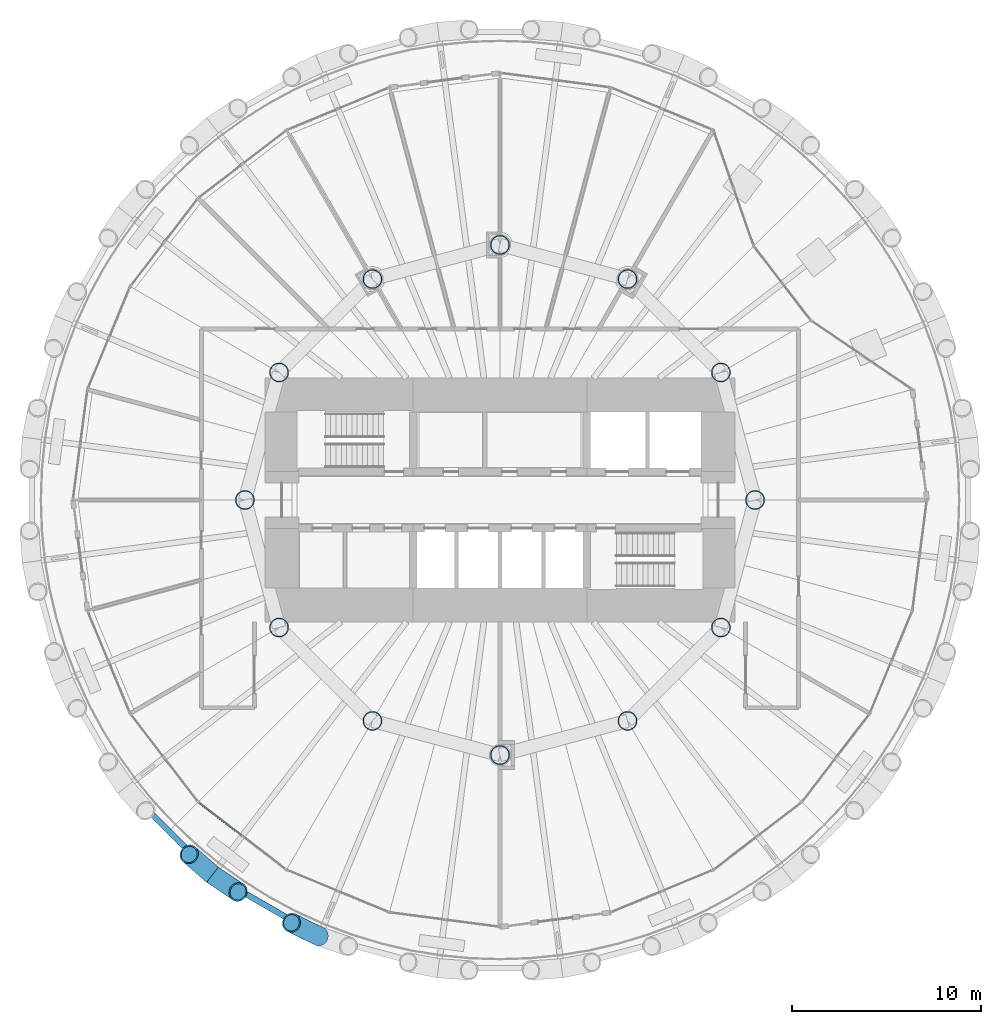
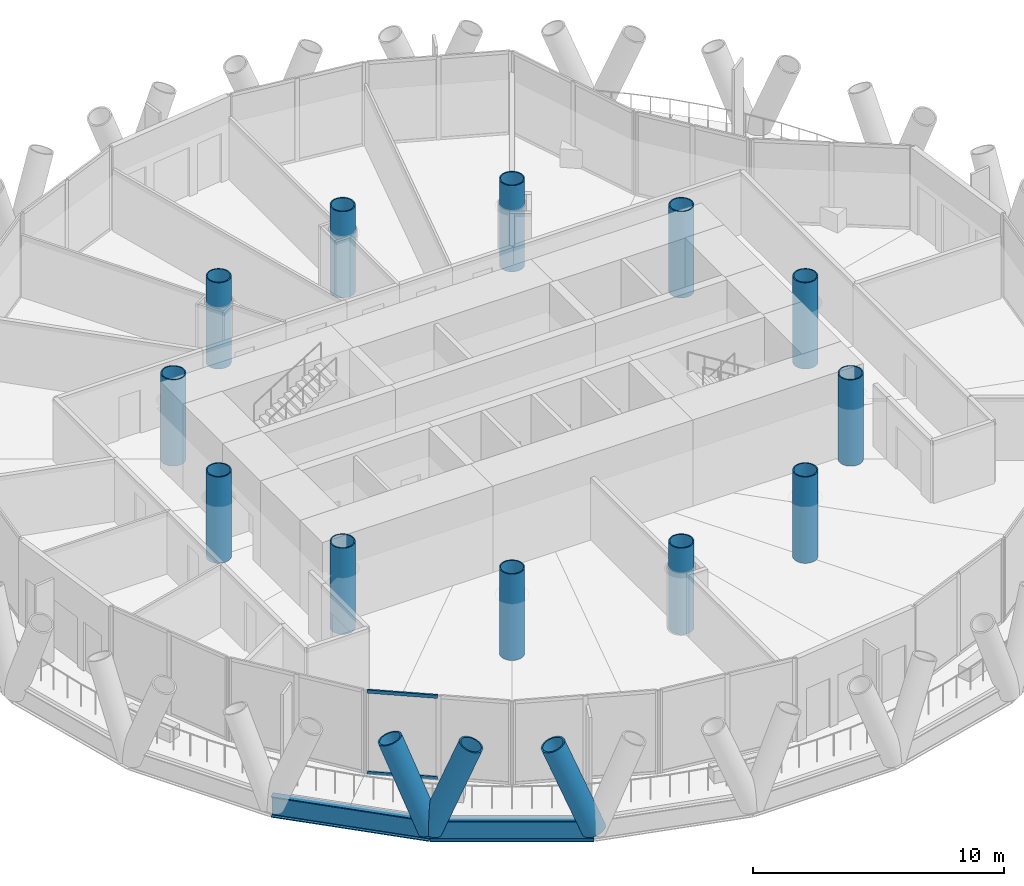
# One storey, part 1 of 16: 12 columns, 5 members, 2 beams, 1 element without a shape of its own.
"""IFC4 building model written with IfcOpenShell, lengths in metres."""

from ifc_helpers import new_model, si_unit, direction, frame, origin, origin_2d, place, context, subcontext, project, spatial, rectangle, hollow_circle, i_section, extrude, material, material_profile, profile_set, type_object, element, aggregate, save


model = new_model("IFC4")

# Units and contexts
model_context = context("Model", 3, precision=1e-05, world=origin(), true_north=direction((0.0, 1.0)))
body_context = subcontext(model_context, "Body", "Model", "MODEL_VIEW")
ifc_project = project(units=[si_unit("LENGTHUNIT", "METRE"), si_unit("AREAUNIT", "SQUARE_METRE"), si_unit("VOLUMEUNIT", "CUBIC_METRE"), si_unit("PLANEANGLEUNIT", "RADIAN"), si_unit("MASSUNIT", "GRAM", prefix="KILO")], contexts=[model_context])

# Site, building, storey
site_placement = place(None, origin())
site = spatial("IfcSite", under=ifc_project, at=site_placement, CompositionType="ELEMENT")
building_placement = place(site_placement, origin())
building = spatial("IfcBuilding", under=site, at=building_placement, Name="Qaws Media Tower", CompositionType="ELEMENT")
storey_placement = place(building_placement, frame((0.0, 0.0, 135.199951171875)))
storey = spatial("IfcBuildingStorey", under=building, at=storey_placement, Name="L30", CompositionType="ELEMENT", Elevation=135.199951171875)

# Columns
ifc_material_1 = material(Name="Steel S460", Category="steel")
ifc_material_profile_1 = material_profile(ifc_material_1, hollow_circle(Radius=0.508056640625, WallThickness=0.050048828125, at=origin_2d()), Name="CHS 1016x50")
ifc_profile_set_1 = profile_set([ifc_material_profile_1], Name="Steel S460")
column_type = type_object("IfcColumnType", Name="Inner column CHS 1016x50", PredefinedType="COLUMN", material=ifc_profile_set_1)
for number, where, z_axis, x_axis, name in (
    (1, (73.5, 50.0, 0.0), (0.0, 0.0, 1.0), (1.0, 0.0, 0.0), "C2 inner column I01 L30"),
    (2, (71.69140625, 56.75, 0.0), (0.0, 0.0, 1.0), (1.0, 0.0, 0.0), "C2 inner column I02 L30"),
    (3, (66.75, 61.69140625, 0.0), (0.0, 0.0, 1.0), (1.0, 0.0, 0.0), "C2 inner column I03 L30"),
    (4, (60.0, 63.5, 0.0), (0.0, 0.0, 1.0), (1.0, 0.0, 0.0), "C2 inner column I04 L30"),
    (5, (53.25, 61.69140625, 0.0), (0.0, 0.0, 1.0), (1.0, 0.0, 0.0), "C2 inner column I05 L30"),
    (6, (48.30859375, 56.75, 0.0), (0.0, 0.0, 1.0), (1.0, 0.0, 0.0), "C2 inner column I06 L30"),
    (7, (46.5, 50.0, 0.0), (0.0, 0.0, 1.0), (1.0, 0.0, 0.0), "C2 inner column I07 L30"),
    (8, (48.30859375, 43.25, 0.0), (0.0, 0.0, 1.0), (1.0, 0.0, 0.0), "C2 inner column I08 L30"),
    (9, (53.25, 38.30859375, 0.0), (0.0, 0.0, 1.0), (1.0, 0.0, 0.0), "C2 inner column I09 L30"),
    (10, (60.0, 36.5, 0.0), (0.0, 0.0, 1.0), (1.0, 0.0, 0.0), "C2 inner column I10 L30"),
    (11, (66.75, 38.30859375, 0.0), (0.0, 0.0, 1.0), (1.0, 0.0, 0.0), "C2 inner column I11 L30"),
    (12, (71.69140625, 43.25, 0.0), (0.0, 0.0, 1.0), (1.0, 0.0, 0.0), "C2 inner column I12 L30"),
):
    element("IfcColumn", number, at=place(storey_placement, frame(where, z_axis=z_axis, x_axis=x_axis)), inside=storey, type_object=column_type, Name=name, PredefinedType="COLUMN", context=body_context, shape_type="SweptSolid", body=[
        extrude(hollow_circle(Radius=0.508056640625, WallThickness=0.050048828125, at=origin_2d()), origin(), (0.0, 0.0, 1.0), 4.199951171875),
    ])

# Curtain wall, members
ifc_material_2 = material(Name="Aluminium and clear glass", Category="aluminium")
curtain_wall_type = type_object("IfcCurtainWallType", Name="Unitised curtain wall CW-B", PredefinedType="NOTDEFINED", material=ifc_material_2)
curtain_wall_placement = place(storey_placement, origin())
curtain_wall = element("IfcCurtainWall", 13, at=curtain_wall_placement, inside=storey, type_object=curtain_wall_type, Name="CWB curtain wall L30-16", PredefinedType="NOTDEFINED")
ifc_material_3 = material(Name="Aluminium transom", Category="aluminium")
ifc_material_profile_2 = material_profile(ifc_material_3, rectangle(XDim=0.080078125, YDim=0.159912109375, at=origin_2d()), Name="80x160")
ifc_profile_set_2 = profile_set([ifc_material_profile_2], Name="Aluminium transom")
member_type_1 = type_object("IfcMemberType", Name="Curtain wall transom 80x160", PredefinedType="USERDEFINED", material=ifc_profile_set_2)
member_1_placement = place(storey_placement, frame((44.082763671875, 33.970703125, 0.0400390625), z_axis=(0.79336746432, -0.608743021775, 0.0), x_axis=(0.608743021775, 0.79336746432, 0.0)))
member_1 = element("IfcMember", 14, at=member_1_placement, type_object=member_type_1, Name="CWB transom 1.1", ObjectType="TRANSOM", PredefinedType="USERDEFINED", context=body_context, shape_type="SweptSolid", body=[
    extrude(rectangle(XDim=0.080078125, YDim=0.159912109375, at=origin_2d()), origin(), (0.0, 0.0, 1.0), 2.829833984375),
])
member_2_placement = place(storey_placement, frame((44.082763671875, 33.970703125, 4.0), z_axis=(0.79336746432, -0.608743021775, 0.0), x_axis=(0.608743021775, 0.79336746432, 0.0)))
member_2 = element("IfcMember", 15, at=member_2_placement, type_object=member_type_1, Name="CWB transom 1.2", ObjectType="TRANSOM", PredefinedType="USERDEFINED", context=body_context, shape_type="SweptSolid", body=[
    extrude(rectangle(XDim=0.080078125, YDim=0.159912109375, at=origin_2d()), origin(), (0.0, 0.0, 1.0), 2.829833984375),
])
aggregate(curtain_wall, [member_1, member_2])

# Members
ifc_material_4 = material(Name="Steel S460", Category="steel")
ifc_material_profile_3 = material_profile(ifc_material_4, hollow_circle(Radius=0.508056640625, WallThickness=0.070068359375, at=origin_2d()), Name="CHS 1016x70")
ifc_profile_set_3 = profile_set([ifc_material_profile_3], Name="Steel S460")
member_type_2 = type_object("IfcMemberType", Name="Diagrid member CHS 1016x70", PredefinedType="USERDEFINED", material=ifc_profile_set_3)
member_3_placement = place(storey_placement, frame((44.781005859375, 30.166259765625, -0.6640625), z_axis=(0.301167504957, -0.202204729497, 0.931885927207), x_axis=(0.557419484535, 0.830231002951, 0.0)))
element("IfcMember", 16, at=member_3_placement, inside=storey, type_object=member_type_2, Name="DG3 diagrid L30 A16", ObjectType="DIAGRID", PredefinedType="USERDEFINED", context=body_context, shape_type="SweptSolid", body=[
    extrude(hollow_circle(Radius=0.508056640625, WallThickness=0.070068359375, at=origin_2d()), origin(), (0.0, 0.0, 1.0), 4.507080078125),
])
for number, where, z_axis, x_axis, name in (
    (17, (44.781005859375, 30.166259765625, -0.6640625), (-0.273268723209, 0.238602324229, 0.931876137579), (-0.657711444944, -0.753269974969, 0.0), "DG3 diagrid L30 B16"),
    (18, (50.432861328125, 26.903076171875, -0.6640625), (-0.325703218866, 0.159737035163, 0.931880621548), (-0.440331888579, -0.897835078341, 0.0), "DG3 diagrid L30 B17"),
):
    element("IfcMember", number, at=place(storey_placement, frame(where, z_axis=z_axis, x_axis=x_axis)), inside=storey, type_object=member_type_2, Name=name, ObjectType="DIAGRID", PredefinedType="USERDEFINED", context=body_context, shape_type="SweptSolid", body=[
        extrude(hollow_circle(Radius=0.508056640625, WallThickness=0.070068359375, at=origin_2d()), origin(), (0.0, 0.0, 1.0), 4.50732421875),
    ])

# Beams
ifc_material_5 = material(Name="Steel S460", Category="steel")
ifc_material_profile_4 = material_profile(ifc_material_5, i_section(OverallWidth=0.302001953125, OverallDepth=1.008056640625, WebThickness=0.02099609375, FlangeThickness=0.0400390625, FilletRadius=0.030029296875, at=origin_2d()), Name="HE 1000 M")
ifc_profile_set_4 = profile_set([ifc_material_profile_4], Name="Steel S460")
beam_type = type_object("IfcBeamType", Name="Edge ring beam HE 1000 M", PredefinedType="BEAM", material=ifc_profile_set_4)
for number, where, z_axis, x_axis, name in (
    (19, (40.166259765625, 34.781005859375, -0.6640625), (0.707106781187, -0.707106781187, 0.0), (0.707106781187, 0.707106781187, 0.0), "RB3 edge ring beam L30-15"),
    (20, (44.781005859375, 30.166259765625, -0.6640625), (0.866019875663, -0.500009574865, 0.0), (0.500009574865, 0.866019875663, 0.0), "RB3 edge ring beam L30-16"),
):
    element("IfcBeam", number, at=place(storey_placement, frame(where, z_axis=z_axis, x_axis=x_axis)), inside=storey, type_object=beam_type, Name=name, PredefinedType="BEAM", context=body_context, shape_type="SweptSolid", body=[
        extrude(i_section(OverallWidth=0.302001953125, OverallDepth=1.008056640625, WebThickness=0.02099609375, FlangeThickness=0.0400390625, FilletRadius=0.030029296875, at=origin_2d()), origin(), (0.0, 0.0, 1.0), 6.526123046875),
    ])

save(model, "model.ifc")
